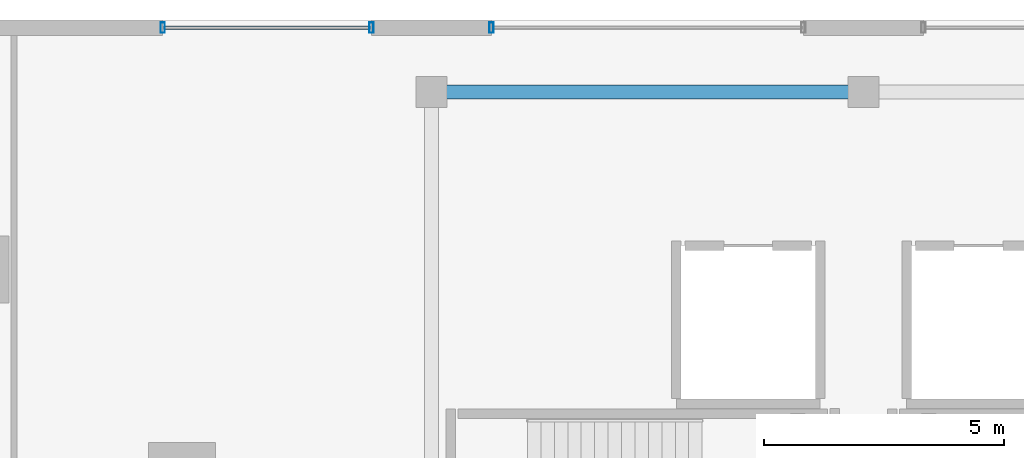
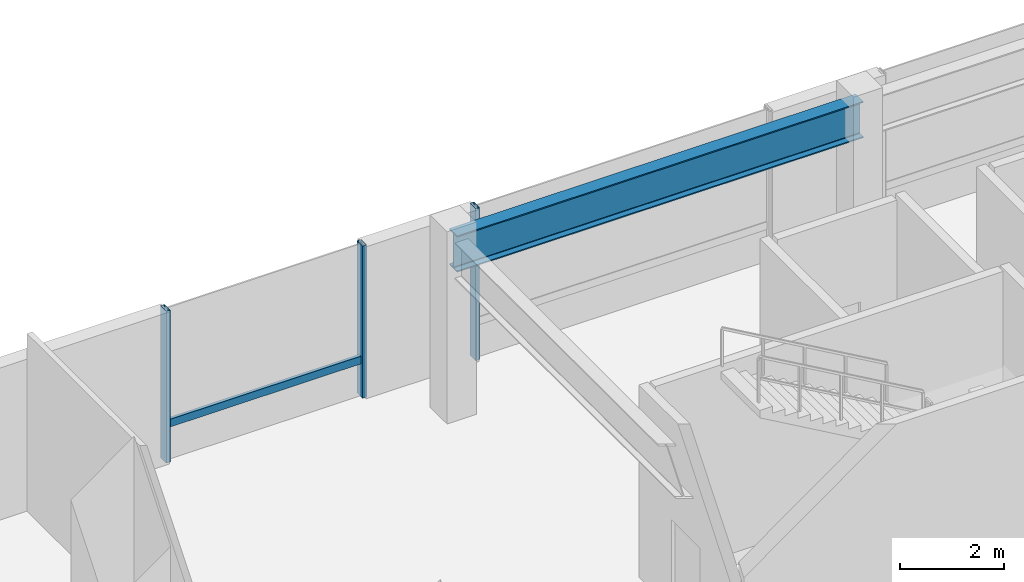
# One storey, part 4 of 22: 4 members, 1 beam, 2 elements without a shape of their own.
"""IFC4 building model written with IfcOpenShell, lengths in metres."""

from ifc_helpers import new_model, si_unit, direction, frame, origin, origin_2d, place, context, subcontext, project, spatial, hollow_rectangle, i_section, extrude, material, material_profile, profile_set, type_object, element, aggregate, save


model = new_model("IFC4")

# Units and contexts
model_context = context("Model", 3, precision=1e-05, world=origin(), true_north=direction((0.0, 1.0)))
body_context = subcontext(model_context, "Body", "Model", "MODEL_VIEW")
ifc_project = project(units=[si_unit("LENGTHUNIT", "METRE"), si_unit("AREAUNIT", "SQUARE_METRE"), si_unit("VOLUMEUNIT", "CUBIC_METRE"), si_unit("PLANEANGLEUNIT", "RADIAN"), si_unit("MASSUNIT", "GRAM", prefix="KILO")], contexts=[model_context])

# Site, building, storey
site_placement = place(None, origin())
site = spatial("IfcSite", under=ifc_project, at=site_placement, CompositionType="ELEMENT")
building_placement = place(site_placement, origin())
building = spatial("IfcBuilding", under=site, at=building_placement, Name="Thornwick Lancets Civic Towers", CompositionType="ELEMENT")
storey_placement = place(building_placement, frame((0.0, 0.0, 18.60009765625)))
storey = spatial("IfcBuildingStorey", under=building, at=storey_placement, Name="L04", CompositionType="ELEMENT", Elevation=18.60009765625)

# Beam
ifc_material_1 = material(Name="Steel S355JR", Category="steel")
ifc_material_profile_1 = material_profile(ifc_material_1, i_section(OverallWidth=0.293701171875, OverallDepth=0.850830078125, WebThickness=0.01611328125, FlangeThickness=0.02685546875, FilletRadius=0.017822265625, at=origin_2d()), Name="UKB 838x292x226")
ifc_profile_set_1 = profile_set([ifc_material_profile_1], Name="Steel S355JR")
beam_type = type_object("IfcBeamType", Name="BM_POD_838_226", PredefinedType="BEAM", material=ifc_profile_set_1)
beam_placement = place(storey_placement, frame((48.0, 48.0, 3.75439453125), z_axis=(1.0, 0.0, 0.0), x_axis=(0.0, 1.0, 0.0)))
element("IfcBeam", 1, at=beam_placement, inside=storey, type_object=beam_type, Name="BM-PODG-L04-11-12", PredefinedType="BEAM", context=body_context, shape_type="SweptSolid", body=[
    extrude(i_section(OverallWidth=0.293701171875, OverallDepth=0.850830078125, WebThickness=0.01611328125, FlangeThickness=0.02685546875, FilletRadius=0.017822265625, at=origin_2d()), origin(), (0.0, 0.0, 1.0), 9.0),
])

# Curtain wall, member
ifc_material_2 = material(Name="Terracotta-trimmed cascading podium ribbon curtain wall", Category="masonry")
curtain_wall_type = type_object("IfcCurtainWallType", Name="CW_SYS_02", PredefinedType="NOTDEFINED", material=ifc_material_2)
curtain_wall_1_placement = place(storey_placement, origin())
curtain_wall_1 = element("IfcCurtainWall", 2, at=curtain_wall_1_placement, inside=storey, type_object=curtain_wall_type, Name="L04 Curtain Wall CW-L04-POD-NC-S3", PredefinedType="NOTDEFINED")
ifc_material_3 = material(Name="Thermally broken bronze aluminium S355", Category="steel")
ifc_material_profile_2 = material_profile(ifc_material_3, hollow_rectangle(XDim=0.090087890625, YDim=0.219970703125, WallThickness=0.00634765625, at=origin_2d()), Name="RHS 220x90x6.3")
ifc_profile_set_2 = profile_set([ifc_material_profile_2], Name="Thermally broken bronze aluminium S355")
member_type_1 = type_object("IfcMemberType", Name="CW_MUL_220", PredefinedType="MULLION", material=ifc_profile_set_2)
member_1_placement = place(storey_placement, frame((49.25, 49.340087890625, 0.0), z_axis=(0.0, 0.0, 1.0), x_axis=(1.0, 0.0, 0.0)))
member_1 = element("IfcMember", 3, at=member_1_placement, type_object=member_type_1, Name="CW-L04-POD-NC-S3 Mullion 1", PredefinedType="MULLION", context=body_context, shape_type="SweptSolid", body=[
    extrude(hollow_rectangle(XDim=0.090087890625, YDim=0.219970703125, WallThickness=0.00634765625, at=origin_2d()), origin(), (0.0, 0.0, 1.0), 3.559814453125),
])
aggregate(curtain_wall_1, [member_1])

# Curtain wall, members
curtain_wall_2_placement = place(storey_placement, origin())
curtain_wall_2 = element("IfcCurtainWall", 4, at=curtain_wall_2_placement, inside=storey, type_object=curtain_wall_type, Name="L04 Curtain Wall CW-L04-POD-NC-S4", PredefinedType="NOTDEFINED")
member_2_placement = place(storey_placement, frame((46.75, 49.340087890625, 0.0), z_axis=(0.0, 0.0, 1.0), x_axis=(1.0, 0.0, 0.0)))
member_2 = element("IfcMember", 5, at=member_2_placement, type_object=member_type_1, Name="CW-L04-POD-NC-S4 Mullion 0", PredefinedType="MULLION", context=body_context, shape_type="SweptSolid", body=[
    extrude(hollow_rectangle(XDim=0.090087890625, YDim=0.219970703125, WallThickness=0.00634765625, at=origin_2d()), origin(), (0.0, 0.0, 1.0), 3.559814453125),
])
member_3_placement = place(storey_placement, frame((42.39990234375, 49.340087890625, 0.0), z_axis=(0.0, 0.0, 1.0), x_axis=(1.0, 0.0, 0.0)))
member_3 = element("IfcMember", 6, at=member_3_placement, type_object=member_type_1, Name="CW-L04-POD-NC-S4 Mullion 1", PredefinedType="MULLION", context=body_context, shape_type="SweptSolid", body=[
    extrude(hollow_rectangle(XDim=0.090087890625, YDim=0.219970703125, WallThickness=0.00634765625, at=origin_2d()), origin(), (0.0, 0.0, 1.0), 3.559814453125),
])
ifc_material_profile_3 = material_profile(ifc_material_3, hollow_rectangle(XDim=0.074951171875, YDim=0.179931640625, WallThickness=0.006103515625, at=origin_2d()), Name="RHS 180x75x6")
ifc_profile_set_3 = profile_set([ifc_material_profile_3], Name="Thermally broken bronze aluminium S355")
member_type_2 = type_object("IfcMemberType", Name="CW_TRN_180", PredefinedType="USERDEFINED", material=ifc_profile_set_3)
member_4_placement = place(storey_placement, frame((46.72998046875, 49.340087890625, 0.849853515625), z_axis=(-1.0, 0.0, 0.0), x_axis=(0.0, -1.0, 0.0)))
member_4 = element("IfcMember", 7, at=member_4_placement, type_object=member_type_2, Name="CW-L04-POD-NC-S4 Transom 0", ObjectType="TRANSOM", PredefinedType="USERDEFINED", context=body_context, shape_type="SweptSolid", body=[
    extrude(hollow_rectangle(XDim=0.074951171875, YDim=0.179931640625, WallThickness=0.006103515625, at=origin_2d()), origin(), (0.0, 0.0, 1.0), 4.31005859375),
])
aggregate(curtain_wall_2, [member_2, member_3, member_4])

save(model, "model.ifc")
